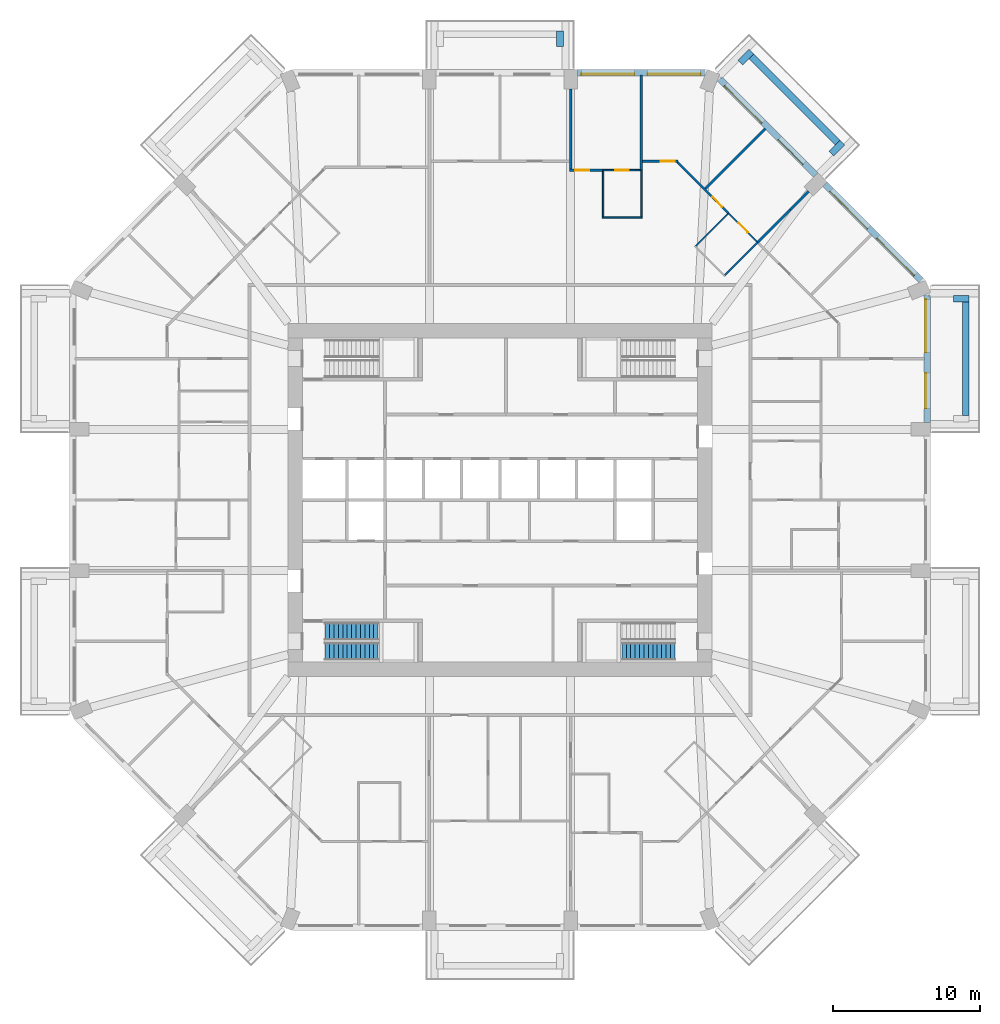
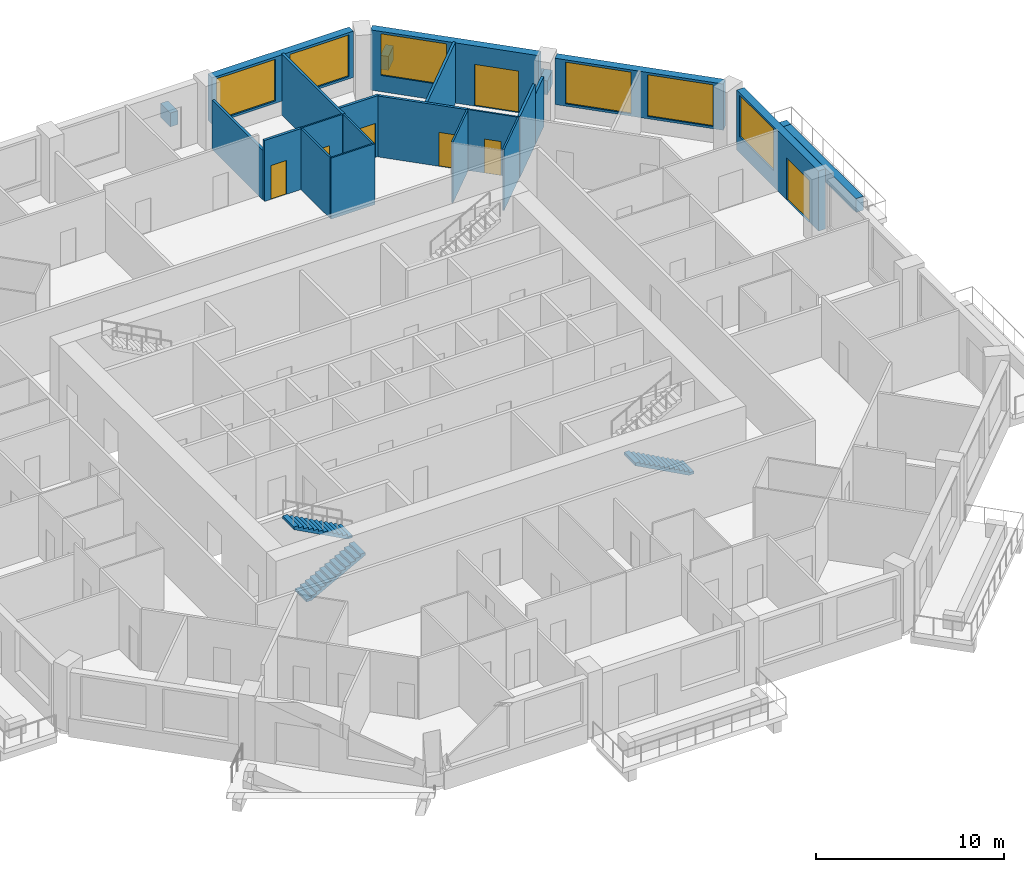
# One storey, part 10 of 13: 25 walls, 7 doors, 6 windows, 3 stair flights, 13 openings, 2 elements without a shape of their own.
"""IFC4 building model written with IfcOpenShell, lengths in metres."""

from ifc_helpers import new_model, si_unit, direction, frame, frame_2d, origin, place, context, subcontext, project, spatial, polyline, rectangle, outline, extrude, material, layer, layer_set, type_object, element, fill, aggregate, save


model = new_model("IFC4")

# Units and contexts
model_context = context("Model", 3, precision=1e-05, world=origin(), true_north=direction((0.0, 1.0)))
body_context = subcontext(model_context, "Body", "Model", "MODEL_VIEW")
ifc_project = project(units=[si_unit("LENGTHUNIT", "METRE"), si_unit("AREAUNIT", "SQUARE_METRE"), si_unit("VOLUMEUNIT", "CUBIC_METRE"), si_unit("PLANEANGLEUNIT", "RADIAN"), si_unit("MASSUNIT", "GRAM", prefix="KILO")], contexts=[model_context])

# Site, building, storey
site_placement = place(None, origin())
site = spatial("IfcSite", under=ifc_project, at=site_placement, CompositionType="ELEMENT")
building_placement = place(site_placement, origin())
building = spatial("IfcBuilding", under=site, at=building_placement, Name="Msitu Wima Residences", CompositionType="ELEMENT")
storey_placement = place(building_placement, frame((0.0, 0.0, 59.10009765625)))
storey = spatial("IfcBuildingStorey", under=building, at=storey_placement, Name="L13", CompositionType="ELEMENT", Elevation=59.10009765625)

# Walls
ifc_material_1 = material(Name="Facing brick")
ifc_layer_1 = layer(ifc_material_1, 0.06494140625, Name="Facing brick")
ifc_material_2 = material(Name="Concrete C40/50", Category="concrete")
ifc_layer_2 = layer(ifc_material_2, 0.156005859375, Name="Concrete C40/50")
ifc_material_3 = material(Name="Waterproofing membrane")
ifc_layer_3 = layer(ifc_material_3, 0.00390625, Name="Waterproofing membrane")
ifc_material_4 = material(Name="Planting soil and planting")
ifc_layer_4 = layer(ifc_material_4, 0.22509765625, Name="Planting soil and planting")
ifc_layer_set_1 = layer_set([ifc_layer_1, ifc_layer_2, ifc_layer_3, ifc_layer_4], Name="Concrete C40/50")
wall_type_1 = type_object("IfcWallType", Name="Balcony planter PLANTER PL450", PredefinedType="USERDEFINED", material=ifc_layer_set_1)
wall_1_placement = place(storey_placement, frame((31.625, 5.75, 0.0), z_axis=(0.0, 0.0, 1.0), x_axis=(0.0, 1.0, 0.0)))
element("IfcWall", 1, at=wall_1_placement, inside=storey, type_object=wall_type_1, Name="Balcony planter E2 L13", ObjectType="PLANTER", PredefinedType="USERDEFINED", context=body_context, shape_type="SweptSolid", body=[
    extrude(rectangle(XDim=7.699951171875, YDim=0.449951171875, at=frame_2d((3.85009765625, 0.0))), origin(), (0.0, 0.0, 1.0), 0.89990234375),
])
wall_2_placement = place(storey_placement, frame((30.800048828125, 13.675048828125, 0.0), z_axis=(0.0, 0.0, 1.0), x_axis=(1.0, 0.0, 0.0)))
element("IfcWall", 2, at=wall_2_placement, inside=storey, type_object=wall_type_1, Name="Balcony planter E2 L13", ObjectType="PLANTER", PredefinedType="USERDEFINED", context=body_context, shape_type="SweptSolid", body=[
    extrude(rectangle(XDim=1.050048828125, YDim=0.449951171875, at=frame_2d((0.52490234375, 0.0))), origin(), (0.0, 0.0, 1.0), 0.89990234375),
])
wall_3_placement = place(storey_placement, frame((22.92578125, 24.269287109375, 0.0), z_axis=(0.0, 0.0, 1.0), x_axis=(-0.707106781187, 0.707106781187, 0.0)))
element("IfcWall", 3, at=wall_3_placement, inside=storey, type_object=wall_type_1, Name="Balcony planter NE1 L13", ObjectType="PLANTER", PredefinedType="USERDEFINED", context=body_context, shape_type="SweptSolid", body=[
    extrude(rectangle(XDim=8.2822265625, YDim=0.449951171875, at=frame_2d((4.14111328125, 0.0))), origin(), (0.0, 0.0, 1.0), 0.89990234375),
])
for number, where, z_axis, x_axis, name in (
    (4, (22.50146484375, 23.52685546875, 0.0), (0.0, 0.0, 1.0), (0.707223014731, 0.706990528533, 0.0), "Balcony planter NE1 L13"),
    (5, (16.326904296875, 29.70166015625, 0.0), (0.0, 0.0, 1.0), (0.707106781187, 0.707106781187, 0.0), "Balcony planter NE1 L13"),
    (6, (4.074951171875, 30.800048828125, 0.0), (0.0, 0.0, 1.0), (0.0, 1.0, 0.0), "Balcony planter N1 L13"),
):
    element("IfcWall", number, at=place(storey_placement, frame(where, z_axis=z_axis, x_axis=x_axis)), inside=storey, type_object=wall_type_1, Name=name, ObjectType="PLANTER", PredefinedType="USERDEFINED", context=body_context, shape_type="SweptSolid", body=[
        extrude(rectangle(XDim=1.050048828125, YDim=0.449951171875, at=frame_2d((0.52490234375, 0.0))), origin(), (0.0, 0.0, 1.0), 0.89990234375),
    ])

# Wall, openings, door, window
ifc_material_5 = material(Name="Brick (red buff mix)", Category="masonry")
ifc_layer_5 = layer(ifc_material_5, 0.449951171875)
ifc_layer_set_2 = layer_set([ifc_layer_5], Name="Brick (red buff mix)")
wall_type_2 = type_object("IfcWallType", Name="Brick infill wall BW450", PredefinedType="SOLIDWALL", material=ifc_layer_set_2)
wall_4_placement = place(storey_placement, frame((29.02490234375, 5.25, 0.0), z_axis=(0.0, 0.0, 1.0), x_axis=(0.0, 1.0, 0.0)))
wall_4 = element("IfcWall", 7, at=wall_4_placement, inside=storey, type_object=wall_type_2, Name="Brick infill wall L13 E2", PredefinedType="SOLIDWALL", context=body_context, shape_type="SweptSolid", body=[
    extrude(rectangle(XDim=8.662841796875, YDim=0.449951171875, at=frame_2d((4.33154296875, 0.0))), origin(), (0.0, 0.0, 1.0), 3.89990234375),
])
opening_1_placement = place(wall_4_placement, frame((0.9658203125, 0.0, 0.0)))
opening_1 = element("IfcOpeningElement", 8, at=opening_1_placement, cuts=wall_4, Name="Opening D13-15.002", PredefinedType="OPENING", context=body_context, shape_type="SweptSolid", body=[
    extrude(rectangle(XDim=2.39990234375, YDim=2.699951171875, at=frame_2d((1.199951171875, 1.35009765625))), frame((0.0, 0.23486328125, 0.0), z_axis=(0.0, -1.0, 0.0), x_axis=(1.0, 0.0, 0.0)), (0.0, 0.0, 1.0), 0.469970703125),
])
opening_2_placement = place(wall_4_placement, frame((4.781494140625, 0.0, 1.050048828125)))
opening_2 = element("IfcOpeningElement", 9, at=opening_2_placement, cuts=wall_4, Name="Opening W13-15.004", PredefinedType="OPENING", context=body_context, shape_type="SweptSolid", body=[
    extrude(rectangle(XDim=3.60009765625, YDim=2.699951171875, at=frame_2d((1.800048828125, 1.35009765625))), frame((0.0, 0.23486328125, 0.0), z_axis=(0.0, -1.0, 0.0), x_axis=(1.0, 0.0, 0.0)), (0.0, 0.0, 1.0), 0.469970703125),
])
ifc_material_6 = material(Name="Anodised aluminium, bronze finish, clear low-emissivity double glazing", Category="aluminium")
door_type_1 = type_object("IfcDoorType", Name="Balcony door D2400x2700", OperationType="SLIDING_TO_LEFT", PredefinedType="DOOR", material=ifc_material_6)
door_1_placement = place(opening_1_placement, origin())
door_1 = element("IfcDoor", 10, at=door_1_placement, inside=storey, type_object=door_type_1, Name="Balcony door L13 E2", OperationType="SINGLE_SWING_LEFT", OverallHeight=2.699951171875, OverallWidth=2.39990234375, PredefinedType="DOOR", context=body_context, shape_type="SweptSolid", body=[
    extrude(rectangle(XDim=2.39990234375, YDim=2.699951171875, at=frame_2d((1.199951171875, 1.35009765625))), frame((0.0, 0.1298828125, 0.0), z_axis=(0.0, -1.0, 0.0), x_axis=(1.0, 0.0, 0.0)), (0.0, 0.0, 1.0), 0.050048828125),
])
fill(opening_1, door_1)
window_type = type_object("IfcWindowType", Name="Window W3600x2700", PartitioningType="DOUBLE_PANEL_VERTICAL", PredefinedType="WINDOW", material=ifc_material_6)
window_1_placement = place(opening_2_placement, origin())
window_1 = element("IfcWindow", 11, at=window_1_placement, inside=storey, type_object=window_type, Name="Window L13 E2.2", OverallHeight=2.699951171875, OverallWidth=3.60009765625, PartitioningType="SINGLE_PANEL", PredefinedType="WINDOW", context=body_context, shape_type="SweptSolid", body=[
    extrude(rectangle(XDim=3.60009765625, YDim=2.699951171875, at=frame_2d((1.800048828125, 1.35009765625))), frame((0.0, 0.135009765625, 0.0), z_axis=(0.0, -1.0, 0.0), x_axis=(1.0, 0.0, 0.0)), (0.0, 0.0, 1.0), 0.06005859375),
])
fill(opening_2, window_1)

# Wall, openings, windows
wall_5_placement = place(storey_placement, frame((28.61474609375, 14.903564453125, 0.89990234375), z_axis=(0.0, 0.0, 1.0), x_axis=(-0.707106781187, 0.707106781187, 0.0)))
wall_5 = element("IfcWall", 12, at=wall_5_placement, inside=storey, type_object=wall_type_2, Name="Brick infill wall L13 NE0", PredefinedType="SOLIDWALL", context=body_context, shape_type="SweptSolid", body=[
    extrude(rectangle(XDim=9.2451171875, YDim=0.449951171875, at=frame_2d((4.62255859375, 0.0))), origin(), (0.0, 0.0, 1.0), 3.0),
])
opening_3_placement = place(wall_5_placement, frame((0.572509765625, 0.0, 0.14990234375)))
opening_3 = element("IfcOpeningElement", 13, at=opening_3_placement, cuts=wall_5, Name="Opening W13-15.010", PredefinedType="OPENING", context=body_context, shape_type="SweptSolid", body=[
    extrude(rectangle(XDim=3.60009765625, YDim=2.699951171875, at=frame_2d((1.800048828125, 1.35009765625))), frame((0.0, 0.23486328125, 0.0), z_axis=(0.0, -1.0, 0.0), x_axis=(1.0, 0.0, 0.0)), (0.0, 0.0, 1.0), 0.469970703125),
])
opening_4_placement = place(wall_5_placement, frame((5.072509765625, 0.0, 0.14990234375)))
opening_4 = element("IfcOpeningElement", 14, at=opening_4_placement, cuts=wall_5, Name="Opening W13-15.011", PredefinedType="OPENING", context=body_context, shape_type="SweptSolid", body=[
    extrude(rectangle(XDim=3.60009765625, YDim=2.699951171875, at=frame_2d((1.800048828125, 1.35009765625))), frame((0.0, 0.23486328125, 0.0), z_axis=(0.0, -1.0, 0.0), x_axis=(1.0, 0.0, 0.0)), (0.0, 0.0, 1.0), 0.469970703125),
])
window_2_placement = place(opening_3_placement, origin())
window_2 = element("IfcWindow", 15, at=window_2_placement, inside=storey, type_object=window_type, Name="Window L13 NE0.1", OverallHeight=2.699951171875, OverallWidth=3.60009765625, PartitioningType="SINGLE_PANEL", PredefinedType="WINDOW", context=body_context, shape_type="SweptSolid", body=[
    extrude(rectangle(XDim=3.60009765625, YDim=2.699951171875, at=frame_2d((1.800048828125, 1.35009765625))), frame((0.0, 0.135009765625, 0.0), z_axis=(0.0, -1.0, 0.0), x_axis=(1.0, 0.0, 0.0)), (0.0, 0.0, 1.0), 0.06005859375),
])
fill(opening_3, window_2)
window_3_placement = place(opening_4_placement, origin())
window_3 = element("IfcWindow", 16, at=window_3_placement, inside=storey, type_object=window_type, Name="Window L13 NE0.2", OverallHeight=2.699951171875, OverallWidth=3.60009765625, PartitioningType="SINGLE_PANEL", PredefinedType="WINDOW", context=body_context, shape_type="SweptSolid", body=[
    extrude(rectangle(XDim=3.60009765625, YDim=2.699951171875, at=frame_2d((1.800048828125, 1.35009765625))), frame((0.0, 0.135009765625, 0.0), z_axis=(0.0, -1.0, 0.0), x_axis=(1.0, 0.0, 0.0)), (0.0, 0.0, 1.0), 0.06005859375),
])
fill(opening_4, window_3)

# Wall, openings, door, window
wall_6_placement = place(storey_placement, frame((21.44091796875, 22.077392578125, 0.0), z_axis=(0.0, 0.0, 1.0), x_axis=(-0.707106781187, 0.707106781187, 0.0)))
wall_6 = element("IfcWall", 17, at=wall_6_placement, inside=storey, type_object=wall_type_2, Name="Brick infill wall L13 NE1", PredefinedType="SOLIDWALL", context=body_context, shape_type="SweptSolid", body=[
    extrude(rectangle(XDim=9.2451171875, YDim=0.449951171875, at=frame_2d((4.62255859375, 0.0))), origin(), (0.0, 0.0, 1.0), 3.89990234375),
])
opening_5_placement = place(wall_6_placement, frame((1.111328125, 0.0, 0.0)))
opening_5 = element("IfcOpeningElement", 18, at=opening_5_placement, cuts=wall_6, Name="Opening D13-15.004", PredefinedType="OPENING", context=body_context, shape_type="SweptSolid", body=[
    extrude(rectangle(XDim=2.39990234375, YDim=2.699951171875, at=frame_2d((1.199951171875, 1.35009765625))), frame((0.0, 0.23486328125, 0.0), z_axis=(0.0, -1.0, 0.0), x_axis=(1.0, 0.0, 0.0)), (0.0, 0.0, 1.0), 0.469970703125),
])
opening_6_placement = place(wall_6_placement, frame((5.072509765625, 0.0, 1.050048828125)))
opening_6 = element("IfcOpeningElement", 19, at=opening_6_placement, cuts=wall_6, Name="Opening W13-15.012", PredefinedType="OPENING", context=body_context, shape_type="SweptSolid", body=[
    extrude(rectangle(XDim=3.60009765625, YDim=2.699951171875, at=frame_2d((1.800048828125, 1.35009765625))), frame((0.0, 0.23486328125, 0.0), z_axis=(0.0, -1.0, 0.0), x_axis=(1.0, 0.0, 0.0)), (0.0, 0.0, 1.0), 0.469970703125),
])
door_2_placement = place(opening_5_placement, origin())
door_2 = element("IfcDoor", 20, at=door_2_placement, inside=storey, type_object=door_type_1, Name="Balcony door L13 NE1", OperationType="SINGLE_SWING_LEFT", OverallHeight=2.699951171875, OverallWidth=2.39990234375, PredefinedType="DOOR", context=body_context, shape_type="SweptSolid", body=[
    extrude(rectangle(XDim=2.39990234375, YDim=2.699951171875, at=frame_2d((1.199951171875, 1.35009765625))), frame((0.0, 0.1298828125, 0.0), z_axis=(0.0, -1.0, 0.0), x_axis=(1.0, 0.0, 0.0)), (0.0, 0.0, 1.0), 0.050048828125),
])
fill(opening_5, door_2)
window_4_placement = place(opening_6_placement, origin())
window_4 = element("IfcWindow", 21, at=window_4_placement, inside=storey, type_object=window_type, Name="Window L13 NE1.2", OverallHeight=2.699951171875, OverallWidth=3.60009765625, PartitioningType="SINGLE_PANEL", PredefinedType="WINDOW", context=body_context, shape_type="SweptSolid", body=[
    extrude(rectangle(XDim=3.60009765625, YDim=2.699951171875, at=frame_2d((1.800048828125, 1.35009765625))), frame((0.0, 0.135009765625, 0.0), z_axis=(0.0, -1.0, 0.0), x_axis=(1.0, 0.0, 0.0)), (0.0, 0.0, 1.0), 0.06005859375),
])
fill(opening_6, window_4)

# Wall, openings, windows
wall_7_placement = place(storey_placement, frame((13.912841796875, 29.02490234375, 0.89990234375), z_axis=(0.0, 0.0, 1.0), x_axis=(-1.0, 0.0, 0.0)))
wall_7 = element("IfcWall", 22, at=wall_7_placement, inside=storey, type_object=wall_type_2, Name="Brick infill wall L13 N0", PredefinedType="SOLIDWALL", context=body_context, shape_type="SweptSolid", body=[
    extrude(rectangle(XDim=8.662841796875, YDim=0.449951171875, at=frame_2d((4.33154296875, 0.0))), origin(), (0.0, 0.0, 1.0), 3.0),
])
opening_7_placement = place(wall_7_placement, frame((0.281494140625, 0.0, 0.14990234375)))
opening_7 = element("IfcOpeningElement", 23, at=opening_7_placement, cuts=wall_7, Name="Opening W13-15.005", PredefinedType="OPENING", context=body_context, shape_type="SweptSolid", body=[
    extrude(rectangle(XDim=3.60009765625, YDim=2.699951171875, at=frame_2d((1.800048828125, 1.35009765625))), frame((0.0, 0.23486328125, 0.0), z_axis=(0.0, -1.0, 0.0), x_axis=(1.0, 0.0, 0.0)), (0.0, 0.0, 1.0), 0.469970703125),
])
opening_8_placement = place(wall_7_placement, frame((4.781494140625, 0.0, 0.14990234375)))
opening_8 = element("IfcOpeningElement", 24, at=opening_8_placement, cuts=wall_7, Name="Opening W13-15.006", PredefinedType="OPENING", context=body_context, shape_type="SweptSolid", body=[
    extrude(rectangle(XDim=3.60009765625, YDim=2.699951171875, at=frame_2d((1.800048828125, 1.35009765625))), frame((0.0, 0.23486328125, 0.0), z_axis=(0.0, -1.0, 0.0), x_axis=(1.0, 0.0, 0.0)), (0.0, 0.0, 1.0), 0.469970703125),
])
window_5_placement = place(opening_7_placement, origin())
window_5 = element("IfcWindow", 25, at=window_5_placement, inside=storey, type_object=window_type, Name="Window L13 N0.1", OverallHeight=2.699951171875, OverallWidth=3.60009765625, PartitioningType="SINGLE_PANEL", PredefinedType="WINDOW", context=body_context, shape_type="SweptSolid", body=[
    extrude(rectangle(XDim=3.60009765625, YDim=2.699951171875, at=frame_2d((1.800048828125, 1.35009765625))), frame((0.0, 0.135009765625, 0.0), z_axis=(0.0, -1.0, 0.0), x_axis=(1.0, 0.0, 0.0)), (0.0, 0.0, 1.0), 0.06005859375),
])
fill(opening_7, window_5)
window_6_placement = place(opening_8_placement, origin())
window_6 = element("IfcWindow", 26, at=window_6_placement, inside=storey, type_object=window_type, Name="Window L13 N0.2", OverallHeight=2.699951171875, OverallWidth=3.60009765625, PartitioningType="SINGLE_PANEL", PredefinedType="WINDOW", context=body_context, shape_type="SweptSolid", body=[
    extrude(rectangle(XDim=3.60009765625, YDim=2.699951171875, at=frame_2d((1.800048828125, 1.35009765625))), frame((0.0, 0.135009765625, 0.0), z_axis=(0.0, -1.0, 0.0), x_axis=(1.0, 0.0, 0.0)), (0.0, 0.0, 1.0), 0.06005859375),
])
fill(opening_8, window_6)

# Wall
ifc_material_7 = material(Name="Plaster")
ifc_layer_6 = layer(ifc_material_7, 0.011962890625, Name="Plaster")
ifc_material_8 = material(Name="Concrete blockwork", Category="masonry")
ifc_layer_7 = layer(ifc_material_8, 0.1259765625, Name="Concrete blockwork")
ifc_layer_8 = layer(ifc_material_7, 0.011962890625, Name="Plaster")
ifc_layer_set_3 = layer_set([ifc_layer_6, ifc_layer_7, ifc_layer_8], Name="Concrete blockwork")
wall_type_3 = type_object("IfcWallType", Name="Partition PW150", PredefinedType="PARTITIONING", material=ifc_layer_set_3)
wall_8_placement = place(storey_placement, frame((4.800048828125, 22.47509765625, 0.0), z_axis=(0.0, 0.0, 1.0), x_axis=(0.0, 1.0, 0.0)))
element("IfcWall", 27, at=wall_8_placement, inside=storey, type_object=wall_type_3, Name="Partition", PredefinedType="PARTITIONING", context=body_context, shape_type="SweptSolid", body=[
    extrude(rectangle(XDim=5.4248046875, YDim=0.14990234375, at=frame_2d((2.71240234375, 0.0))), origin(), (0.0, 0.0, 1.0), 3.199951171875),
])

# Wall, opening, door
wall_9_placement = place(storey_placement, frame((4.72509765625, 22.39990234375, 0.0), z_axis=(0.0, 0.0, 1.0), x_axis=(1.0, 0.0, 0.0)))
wall_9 = element("IfcWall", 28, at=wall_9_placement, inside=storey, type_object=wall_type_3, Name="Partition", PredefinedType="PARTITIONING", context=body_context, shape_type="SweptSolid", body=[
    extrude(rectangle(XDim=2.2548828125, YDim=0.14990234375, at=frame_2d((1.12744140625, 0.0))), origin(), (0.0, 0.0, 1.0), 3.949951171875),
])
opening_9_placement = place(wall_9_placement, frame((0.39990234375, 0.0, 0.0)))
opening_9 = element("IfcOpeningElement", 29, at=opening_9_placement, cuts=wall_9, Name="Opening D13-15.041", PredefinedType="OPENING", context=body_context, shape_type="SweptSolid", body=[
    extrude(rectangle(XDim=0.949951171875, YDim=2.199951171875, at=frame_2d((0.47509765625, 1.10009765625))), frame((0.0, 0.0849609375, 0.0), z_axis=(0.0, -1.0, 0.0), x_axis=(1.0, 0.0, 0.0)), (0.0, 0.0, 1.0), 0.169921875),
])
ifc_material_9 = material(Name="Timber flush door", Category="wood")
door_type_2 = type_object("IfcDoorType", Name="Room door D12 950x2200", OperationType="SINGLE_SWING_LEFT", PredefinedType="DOOR", material=ifc_material_9)
door_3_placement = place(opening_9_placement, origin())
door_3 = element("IfcDoor", 30, at=door_3_placement, inside=storey, type_object=door_type_2, Name="Room door", OperationType="SINGLE_SWING_LEFT", OverallHeight=2.199951171875, OverallWidth=0.949951171875, PredefinedType="DOOR", context=body_context, shape_type="SweptSolid", body=[
    extrude(rectangle(XDim=0.949951171875, YDim=2.199951171875, at=frame_2d((0.47509765625, 1.10009765625))), frame((0.0, 0.02490234375, 0.0), z_axis=(0.0, -1.0, 0.0), x_axis=(1.0, 0.0, 0.0)), (0.0, 0.0, 1.0), 0.050048828125),
])
fill(opening_9, door_3)

# Wall
wall_10_placement = place(storey_placement, frame((9.60009765625, 22.3798828125, 0.0), z_axis=(0.0, 0.0, 1.0), x_axis=(0.0, 1.0, 0.0)))
element("IfcWall", 31, at=wall_10_placement, inside=storey, type_object=wall_type_3, Name="Partition", PredefinedType="PARTITIONING", context=body_context, shape_type="SweptSolid", body=[
    extrude(rectangle(XDim=6.47509765625, YDim=0.14990234375, at=frame_2d((3.237548828125, 0.0))), origin(), (0.0, 0.0, 1.0), 3.949951171875),
])

# Wall, opening, door
wall_11_placement = place(storey_placement, frame((9.675048828125, 23.0, 0.0), z_axis=(0.0, 0.0, 1.0), x_axis=(1.0, 0.0, 0.0)))
wall_11 = element("IfcWall", 32, at=wall_11_placement, inside=storey, type_object=wall_type_3, Name="Partition", PredefinedType="PARTITIONING", context=body_context, shape_type="SweptSolid", body=[
    extrude(rectangle(XDim=2.3974609375, YDim=0.14990234375, at=frame_2d((1.19873046875, 0.0))), origin(), (0.0, 0.0, 1.0), 3.949951171875),
])
opening_10_placement = place(wall_11_placement, frame((1.25, 0.0, 0.0)))
opening_10 = element("IfcOpeningElement", 33, at=opening_10_placement, cuts=wall_11, Name="Opening D13-15.045", PredefinedType="OPENING", context=body_context, shape_type="SweptSolid", body=[
    extrude(rectangle(XDim=0.949951171875, YDim=2.199951171875, at=frame_2d((0.47509765625, 1.10009765625))), frame((0.0, 0.0849609375, 0.0), z_axis=(0.0, -1.0, 0.0), x_axis=(1.0, 0.0, 0.0)), (0.0, 0.0, 1.0), 0.169921875),
])
door_4_placement = place(opening_10_placement, origin())
door_4 = element("IfcDoor", 34, at=door_4_placement, inside=storey, type_object=door_type_2, Name="Room door", OperationType="SINGLE_SWING_LEFT", OverallHeight=2.199951171875, OverallWidth=0.949951171875, PredefinedType="DOOR", context=body_context, shape_type="SweptSolid", body=[
    extrude(rectangle(XDim=0.949951171875, YDim=2.199951171875, at=frame_2d((0.47509765625, 1.10009765625))), frame((0.0, 0.02490234375, 0.0), z_axis=(0.0, -1.0, 0.0), x_axis=(1.0, 0.0, 0.0)), (0.0, 0.0, 1.0), 0.050048828125),
])
fill(opening_10, door_4)

wall_12_placement = place(storey_placement, frame((12.050537109375, 22.947021484375, 0.0), z_axis=(0.0, 0.0, 1.0), x_axis=(0.707106781187, -0.707106781187, 0.0)))
wall_12 = element("IfcWall", 35, at=wall_12_placement, inside=storey, type_object=wall_type_3, Name="Partition", PredefinedType="PARTITIONING", context=body_context, shape_type="SweptSolid", body=[
    extrude(rectangle(XDim=4.90478515625, YDim=0.14990234375, at=frame_2d((2.452392578125, 0.0))), origin(), (0.0, 0.0, 1.0), 3.949951171875),
])
opening_11_placement = place(wall_12_placement, frame((3.35009765625, 0.0, 0.0)))
opening_11 = element("IfcOpeningElement", 36, at=opening_11_placement, cuts=wall_12, Name="Opening D13-15.039", PredefinedType="OPENING", context=body_context, shape_type="SweptSolid", body=[
    extrude(rectangle(XDim=0.949951171875, YDim=2.199951171875, at=frame_2d((0.47509765625, 1.10009765625))), frame((0.0, 0.0849609375, 0.0), z_axis=(0.0, -1.0, 0.0), x_axis=(1.0, 0.0, 0.0)), (0.0, 0.0, 1.0), 0.169921875),
])
door_5_placement = place(opening_11_placement, origin())
door_5 = element("IfcDoor", 37, at=door_5_placement, inside=storey, type_object=door_type_2, Name="Room door", OperationType="SINGLE_SWING_LEFT", OverallHeight=2.199951171875, OverallWidth=0.949951171875, PredefinedType="DOOR", context=body_context, shape_type="SweptSolid", body=[
    extrude(rectangle(XDim=0.949951171875, YDim=2.199951171875, at=frame_2d((0.47509765625, 1.10009765625))), frame((0.0, 0.02490234375, 0.0), z_axis=(0.0, -1.0, 0.0), x_axis=(1.0, 0.0, 0.0)), (0.0, 0.0, 1.0), 0.050048828125),
])
fill(opening_11, door_5)

# Walls
wall_13_placement = place(storey_placement, frame((13.951904296875, 21.15185546875, 0.0), z_axis=(0.0, 0.0, 1.0), x_axis=(0.707085550893, 0.707128010843, 0.0)))
element("IfcWall", 38, at=wall_13_placement, inside=storey, type_object=wall_type_3, Name="Partition", PredefinedType="PARTITIONING", context=body_context, shape_type="SweptSolid", body=[
    extrude(rectangle(XDim=5.75, YDim=0.14990234375, at=frame_2d((2.875, 0.0))), origin(), (0.0, 0.0, 1.0), 3.949951171875),
])
wall_14_placement = place(storey_placement, frame((17.484619140625, 17.484619140625, 0.0), z_axis=(0.0, 0.0, 1.0), x_axis=(0.707106781187, 0.707106781187, 0.0)))
element("IfcWall", 39, at=wall_14_placement, inside=storey, type_object=wall_type_3, Name="Partition", PredefinedType="PARTITIONING", context=body_context, shape_type="SweptSolid", body=[
    extrude(rectangle(XDim=3.171630859375, YDim=0.14990234375, at=frame_2d((1.5859375, 0.0))), origin(), (0.0, 0.0, 1.0), 3.949951171875),
])
wall_15_placement = place(storey_placement, frame((19.727294921875, 19.727294921875, 0.0), z_axis=(0.0, 0.0, 1.0), x_axis=(0.707106781187, 0.707106781187, 0.0)))
element("IfcWall", 40, at=wall_15_placement, inside=storey, type_object=wall_type_3, Name="Partition", PredefinedType="PARTITIONING", context=body_context, shape_type="SweptSolid", body=[
    extrude(rectangle(XDim=1.74853515625, YDim=0.14990234375, at=frame_2d((0.874267578125, 0.0))), origin(), (0.0, 0.0, 1.0), 3.25),
])

# Wall, opening, door
ifc_material_10 = material(Name="Ceramic tiles")
ifc_layer_9 = layer(ifc_material_10, 0.008056640625, Name="Ceramic tiles")
ifc_material_11 = material(Name="Moisture-resistant board")
ifc_layer_10 = layer(ifc_material_11, 0.012451171875, Name="Moisture-resistant board")
ifc_material_12 = material(Name="Light-gauge stud framing with mineral wool")
ifc_layer_11 = layer(ifc_material_12, 0.06689453125, Name="Light-gauge stud framing with mineral wool")
ifc_layer_12 = layer(ifc_material_11, 0.012451171875, Name="Moisture-resistant board")
ifc_layer_set_4 = layer_set([ifc_layer_9, ifc_layer_10, ifc_layer_11, ifc_layer_12], Name="Light-gauge stud framing with mineral wool")
wall_type_4 = type_object("IfcWallType", Name="Wet wall PW100", PredefinedType="PARTITIONING", material=ifc_layer_set_4)
wall_16_placement = place(storey_placement, frame((6.97998046875, 22.39990234375, 0.0), z_axis=(0.0, 0.0, 1.0), x_axis=(1.0, 0.0, 0.0)))
wall_16 = element("IfcWall", 41, at=wall_16_placement, inside=storey, type_object=wall_type_4, Name="Wet wall", PredefinedType="PARTITIONING", context=body_context, shape_type="SweptSolid", body=[
    extrude(rectangle(XDim=2.544921875, YDim=0.10009765625, at=frame_2d((1.2724609375, 0.0))), origin(), (0.0, 0.0, 1.0), 3.949951171875),
])
opening_12_placement = place(wall_16_placement, frame((0.85009765625, 0.0, 0.0)))
opening_12 = element("IfcOpeningElement", 42, at=opening_12_placement, cuts=wall_16, Name="Opening D13-15.042", PredefinedType="OPENING", context=body_context, shape_type="SweptSolid", body=[
    extrude(rectangle(XDim=0.89990234375, YDim=2.199951171875, at=frame_2d((0.449951171875, 1.10009765625))), frame((0.0, 0.06005859375, 0.0), z_axis=(0.0, -1.0, 0.0), x_axis=(1.0, 0.0, 0.0)), (0.0, 0.0, 1.0), 0.1201171875),
])
ifc_material_13 = material(Name="Timber flush door, moisture resistant", Category="wood")
door_type_3 = type_object("IfcDoorType", Name="Bathroom door D03 900x2200", OperationType="SINGLE_SWING_LEFT", PredefinedType="DOOR", material=ifc_material_13)
door_6_placement = place(opening_12_placement, origin())
door_6 = element("IfcDoor", 43, at=door_6_placement, inside=storey, type_object=door_type_3, Name="Bathroom door", OperationType="SINGLE_SWING_RIGHT", OverallHeight=2.199951171875, OverallWidth=0.89990234375, PredefinedType="DOOR", context=body_context, shape_type="SweptSolid", body=[
    extrude(rectangle(XDim=0.89990234375, YDim=2.199951171875, at=frame_2d((0.449951171875, 1.10009765625))), frame((0.0, 0.02490234375, 0.0), z_axis=(0.0, -1.0, 0.0), x_axis=(1.0, 0.0, 0.0)), (0.0, 0.0, 1.0), 0.050048828125),
])
fill(opening_12, door_6)

# Walls
wall_17_placement = place(storey_placement, frame((7.0, 19.25, 0.0), z_axis=(0.0, 0.0, 1.0), x_axis=(0.0, 1.0, 0.0)))
element("IfcWall", 44, at=wall_17_placement, inside=storey, type_object=wall_type_4, Name="Wet wall", PredefinedType="PARTITIONING", context=body_context, shape_type="SweptSolid", body=[
    extrude(rectangle(XDim=3.074951171875, YDim=0.10009765625, at=frame_2d((1.53759765625, 0.0))), origin(), (0.0, 0.0, 1.0), 3.949951171875),
])
wall_18_placement = place(storey_placement, frame((6.949951171875, 19.199951171875, 0.0), z_axis=(0.0, 0.0, 1.0), x_axis=(1.0, 0.0, 0.0)))
element("IfcWall", 45, at=wall_18_placement, inside=storey, type_object=wall_type_4, Name="Wet wall", PredefinedType="PARTITIONING", context=body_context, shape_type="SweptSolid", body=[
    extrude(rectangle(XDim=2.699951171875, YDim=0.10009765625, at=frame_2d((1.35009765625, 0.0))), origin(), (0.0, 0.0, 1.0), 3.949951171875),
])
wall_19_placement = place(storey_placement, frame((9.60009765625, 19.25, 0.0), z_axis=(0.0, 0.0, 1.0), x_axis=(0.0, 1.0, 0.0)))
element("IfcWall", 46, at=wall_19_placement, inside=storey, type_object=wall_type_4, Name="Wet wall", PredefinedType="PARTITIONING", context=body_context, shape_type="SweptSolid", body=[
    extrude(rectangle(XDim=3.1298828125, YDim=0.10009765625, at=frame_2d((1.56494140625, 0.0))), origin(), (0.0, 0.0, 1.0), 3.949951171875),
])
wall_20_placement = place(storey_placement, frame((13.29150390625, 17.251220703125, 0.0), z_axis=(0.0, 0.0, 1.0), x_axis=(0.707106781187, 0.707106781187, 0.0)))
element("IfcWall", 47, at=wall_20_placement, inside=storey, type_object=wall_type_4, Name="Wet wall", PredefinedType="PARTITIONING", context=body_context, shape_type="SweptSolid", body=[
    extrude(rectangle(XDim=3.10009765625, YDim=0.10009765625, at=frame_2d((1.550048828125, 0.0))), origin(), (0.0, 0.0, 1.0), 3.949951171875),
])
wall_21_placement = place(storey_placement, frame((15.271484375, 15.271484375, 0.0), z_axis=(0.0, 0.0, 1.0), x_axis=(0.707106781187, 0.707106781187, 0.0)))
element("IfcWall", 48, at=wall_21_placement, inside=storey, type_object=wall_type_4, Name="Wet wall", PredefinedType="PARTITIONING", context=body_context, shape_type="SweptSolid", body=[
    extrude(rectangle(XDim=3.1298828125, YDim=0.10009765625, at=frame_2d((1.56494140625, 0.0))), origin(), (0.0, 0.0, 1.0), 3.949951171875),
])

# Wall, opening, door
wall_22_placement = place(storey_placement, frame((15.518798828125, 19.478759765625, 0.0), z_axis=(0.0, 0.0, 1.0), x_axis=(0.707106781187, -0.707106781187, 0.0)))
wall_22 = element("IfcWall", 49, at=wall_22_placement, inside=storey, type_object=wall_type_4, Name="Wet wall", PredefinedType="PARTITIONING", context=body_context, shape_type="SweptSolid", body=[
    extrude(rectangle(XDim=2.800048828125, YDim=0.10009765625, at=frame_2d((1.39990234375, 0.0))), origin(), (0.0, 0.0, 1.0), 3.949951171875),
])
opening_13_placement = place(wall_22_placement, frame((0.949951171875, 0.0, 0.0)))
opening_13 = element("IfcOpeningElement", 50, at=opening_13_placement, cuts=wall_22, Name="Opening D13-15.040", PredefinedType="OPENING", context=body_context, shape_type="SweptSolid", body=[
    extrude(rectangle(XDim=0.89990234375, YDim=2.199951171875, at=frame_2d((0.449951171875, 1.10009765625))), frame((0.0, 0.06005859375, 0.0), z_axis=(0.0, -1.0, 0.0), x_axis=(1.0, 0.0, 0.0)), (0.0, 0.0, 1.0), 0.1201171875),
])
door_7_placement = place(opening_13_placement, origin())
door_7 = element("IfcDoor", 51, at=door_7_placement, inside=storey, type_object=door_type_3, Name="Bathroom door", OperationType="SINGLE_SWING_LEFT", OverallHeight=2.199951171875, OverallWidth=0.89990234375, PredefinedType="DOOR", context=body_context, shape_type="SweptSolid", body=[
    extrude(rectangle(XDim=0.89990234375, YDim=2.199951171875, at=frame_2d((0.449951171875, 1.10009765625))), frame((0.0, 0.02490234375, 0.0), z_axis=(0.0, -1.0, 0.0), x_axis=(1.0, 0.0, 0.0)), (0.0, 0.0, 1.0), 0.050048828125),
])
fill(opening_13, door_7)

# Stair, stair flights
stair_type = type_object("IfcStairType", Name="Exit stair ES1615-120", PredefinedType="HALF_TURN_STAIR", material=ifc_material_2)
stair_1_placement = place(storey_placement, origin())
stair_1 = element("IfcStair", 52, at=stair_1_placement, inside=storey, type_object=stair_type, Name="Exit stair 2", PredefinedType="HALF_TURN_STAIR")
stair_flight_type = type_object("IfcStairFlightType", Name="Exit stair flight ES1615-120", PredefinedType="STRAIGHT", material=ifc_material_2)
stair_flight_1_placement = place(storey_placement, frame((-11.875, -10.27490234375, 0.0), z_axis=(0.0, 0.0, 1.0), x_axis=(1.0, 0.0, 0.0)))
stair_flight_1 = element("IfcStairFlight", 53, at=stair_flight_1_placement, type_object=stair_flight_type, Name="S2 flight 1", NumberOfRisers=13, NumberOfTreads=12, PredefinedType="STRAIGHT", RiserHeight=0.161538462, TreadLength=0.3, context=body_context, shape_type="SweptSolid", body=[
    extrude(outline(polyline([(0.0, 0.0), (0.0, 0.16162109375), (0.300048828125, 0.16162109375), (0.300048828125, 0.322998046875), (0.60009765625, 0.322998046875), (0.60009765625, 0.484619140625), (0.89990234375, 0.484619140625), (0.89990234375, 0.646240234375), (1.199951171875, 0.646240234375), (1.199951171875, 0.8076171875), (1.5, 0.8076171875), (1.5, 0.96923828125), (1.800048828125, 0.96923828125), (1.800048828125, 1.130859375), (2.10009765625, 1.130859375), (2.10009765625, 1.292236328125), (2.39990234375, 1.292236328125), (2.39990234375, 1.453857421875), (2.699951171875, 1.453857421875), (2.699951171875, 1.615478515625), (3.0, 1.615478515625), (3.0, 1.77685546875), (3.300048828125, 1.77685546875), (3.300048828125, 1.9384765625), (3.60009765625, 1.9384765625), (3.60009765625, 2.10009765625), (3.60009765625, 1.768310546875), (0.316162109375, 0.0), (0.0, 0.0)])), frame((0.0, 0.60009765625, 0.0), z_axis=(0.0, -1.0, 0.0), x_axis=(1.0, 0.0, 0.0)), (0.0, 0.0, 1.0), 1.199951171875),
])
stair_flight_2_placement = place(storey_placement, frame((-8.27490234375, -8.925048828125, 2.099853515625), z_axis=(0.0, 0.0, 1.0), x_axis=(-1.0, 0.0, 0.0)))
stair_flight_2 = element("IfcStairFlight", 54, at=stair_flight_2_placement, type_object=stair_flight_type, Name="S2 flight 2", NumberOfRisers=13, NumberOfTreads=12, PredefinedType="STRAIGHT", RiserHeight=0.161538462, TreadLength=0.3, context=body_context, shape_type="SweptSolid", body=[
    extrude(outline(polyline([(0.0, 0.0), (0.0, 0.16162109375), (0.300048828125, 0.16162109375), (0.300048828125, 0.322998046875), (0.60009765625, 0.322998046875), (0.60009765625, 0.484619140625), (0.89990234375, 0.484619140625), (0.89990234375, 0.646240234375), (1.199951171875, 0.646240234375), (1.199951171875, 0.8076171875), (1.5, 0.8076171875), (1.5, 0.96923828125), (1.800048828125, 0.96923828125), (1.800048828125, 1.130859375), (2.10009765625, 1.130859375), (2.10009765625, 1.292236328125), (2.39990234375, 1.292236328125), (2.39990234375, 1.453857421875), (2.699951171875, 1.453857421875), (2.699951171875, 1.615478515625), (3.0, 1.615478515625), (3.0, 1.77685546875), (3.300048828125, 1.77685546875), (3.300048828125, 1.9384765625), (3.60009765625, 1.9384765625), (3.60009765625, 2.10009765625), (3.60009765625, 1.768310546875), (0.316162109375, 0.0), (0.0, 0.0)])), frame((0.0, 0.60009765625, 0.0), z_axis=(0.0, -1.0, 0.0), x_axis=(1.0, 0.0, 0.0)), (0.0, 0.0, 1.0), 1.199951171875),
])
aggregate(stair_1, [stair_flight_1, stair_flight_2])

# Stair, stair flight
stair_2_placement = place(storey_placement, origin())
stair_2 = element("IfcStair", 55, at=stair_2_placement, inside=storey, type_object=stair_type, Name="Exit stair 4", PredefinedType="HALF_TURN_STAIR")
stair_flight_3_placement = place(storey_placement, frame((11.875, -10.27490234375, 0.0), z_axis=(0.0, 0.0, 1.0), x_axis=(-1.0, 0.0, 0.0)))
stair_flight_3 = element("IfcStairFlight", 56, at=stair_flight_3_placement, type_object=stair_flight_type, Name="S4 flight 1", NumberOfRisers=13, NumberOfTreads=12, PredefinedType="STRAIGHT", RiserHeight=0.161538462, TreadLength=0.3, context=body_context, shape_type="SweptSolid", body=[
    extrude(outline(polyline([(0.0, 0.0), (0.0, 0.16162109375), (0.300048828125, 0.16162109375), (0.300048828125, 0.322998046875), (0.60009765625, 0.322998046875), (0.60009765625, 0.484619140625), (0.89990234375, 0.484619140625), (0.89990234375, 0.646240234375), (1.199951171875, 0.646240234375), (1.199951171875, 0.8076171875), (1.5, 0.8076171875), (1.5, 0.96923828125), (1.800048828125, 0.96923828125), (1.800048828125, 1.130859375), (2.10009765625, 1.130859375), (2.10009765625, 1.292236328125), (2.39990234375, 1.292236328125), (2.39990234375, 1.453857421875), (2.699951171875, 1.453857421875), (2.699951171875, 1.615478515625), (3.0, 1.615478515625), (3.0, 1.77685546875), (3.300048828125, 1.77685546875), (3.300048828125, 1.9384765625), (3.60009765625, 1.9384765625), (3.60009765625, 2.10009765625), (3.60009765625, 1.768310546875), (0.316162109375, 0.0), (0.0, 0.0)])), frame((0.0, 0.60009765625, 0.0), z_axis=(0.0, -1.0, 0.0), x_axis=(1.0, 0.0, 0.0)), (0.0, 0.0, 1.0), 1.199951171875),
])
aggregate(stair_2, [stair_flight_3])

save(model, "model.ifc")
